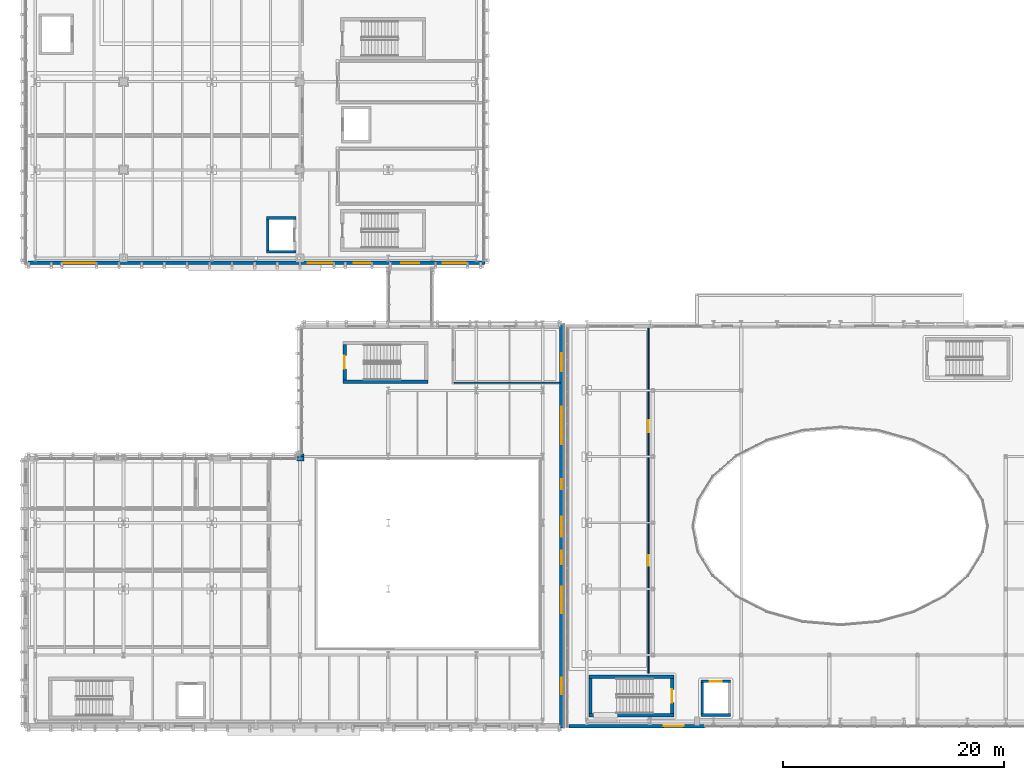
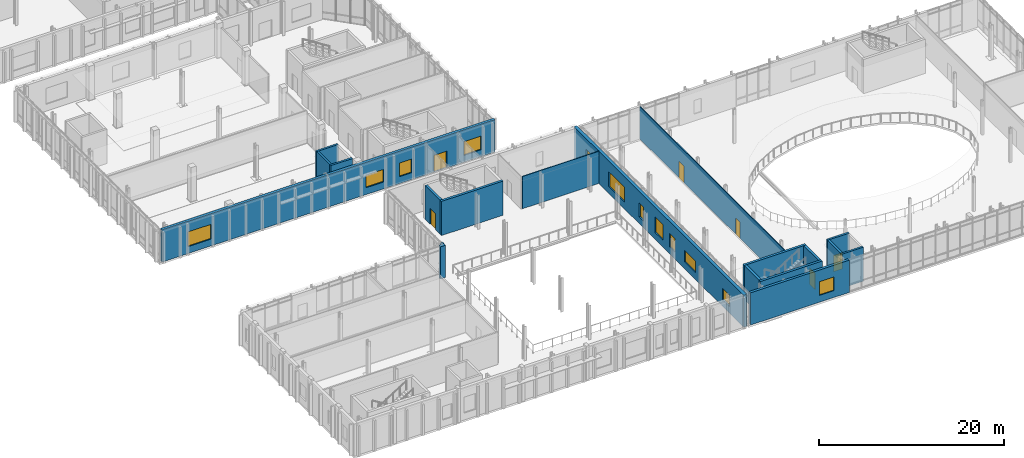
# One storey, part 66 of 100: 19 walls, 12 windows, 6 doors, 18 openings.
"""IFC4 building model written with IfcOpenShell, lengths in metres."""

from ifc_helpers import new_model, si_unit, direction, frame, frame_2d, origin, place, context, subcontext, project, spatial, rectangle, extrude, material, layer, layer_set, type_object, element, fill, save


model = new_model("IFC4")

# Units and contexts
model_context = context("Model", 3, precision=1e-05, world=origin(), true_north=direction((0.0, 1.0)))
body_context = subcontext(model_context, "Body", "Model", "MODEL_VIEW")
ifc_project = project(units=[si_unit("LENGTHUNIT", "METRE"), si_unit("AREAUNIT", "SQUARE_METRE"), si_unit("VOLUMEUNIT", "CUBIC_METRE"), si_unit("PLANEANGLEUNIT", "RADIAN"), si_unit("MASSUNIT", "GRAM", prefix="KILO")], contexts=[model_context])

# Site, building, storey
site_placement = place(None, origin())
site = spatial("IfcSite", under=ifc_project, at=site_placement, CompositionType="ELEMENT")
building_placement = place(site_placement, origin())
building = spatial("IfcBuilding", under=site, at=building_placement, Name="Cymarion Research Institute", CompositionType="ELEMENT")
storey_placement = place(building_placement, frame((0.0, 0.0, 4.800048828125)))
storey = spatial("IfcBuildingStorey", under=building, at=storey_placement, Name="L01", CompositionType="ELEMENT", Elevation=4.800048828125)

# Wall, openings, door, windows
ifc_material_1 = material(Name="Precast concrete C40/50", Category="concrete")
ifc_layer_1 = layer(ifc_material_1, 0.340087890625)
ifc_layer_set_1 = layer_set([ifc_layer_1], Name="Precast concrete C40/50")
wall_type_1 = type_object("IfcWallType", Name="EXTERIOR WALL EW-PC340 340MM", PredefinedType="SOLIDWALL", material=ifc_layer_set_1)
wall_1_placement = place(storey_placement, frame((5.922119140625, 47.070068359375, 0.0), z_axis=(0.0, 0.0, 1.0), x_axis=(1.0, 0.0, 0.0)))
wall_1 = element("IfcWall", 1, at=wall_1_placement, inside=storey, type_object=wall_type_1, Name="L01 V4 exterior wall EW-PC340 #111", PredefinedType="SOLIDWALL", context=body_context, shape_type="SweptSolid", body=[
    extrude(rectangle(XDim=41.477783203125, YDim=0.340087890625, at=frame_2d((20.73876953125, 0.0))), origin(), (0.0, 0.0, 1.0), 4.25),
])
opening_1_placement = place(wall_1_placement, frame((33.8779296875, 0.0, 0.0)))
opening_1 = element("IfcOpeningElement", 2, at=opening_1_placement, cuts=wall_1, Name="Opening D-SP1-L01-N", PredefinedType="OPENING", context=body_context, shape_type="SweptSolid", body=[
    extrude(rectangle(XDim=1.60009765625, YDim=2.199951171875, at=frame_2d((0.800048828125, 1.10009765625))), frame((0.0, 0.179931640625, 0.0), z_axis=(0.0, -1.0, 0.0), x_axis=(1.0, 0.0, 0.0)), (0.0, 0.0, 1.0), 0.360107421875),
])
opening_2_placement = place(wall_1_placement, frame((3.242919921875, 0.0, 0.89990234375)))
opening_2 = element("IfcOpeningElement", 3, at=opening_2_placement, cuts=wall_1, Name="Opening W32", PredefinedType="OPENING", context=body_context, shape_type="SweptSolid", body=[
    extrude(rectangle(XDim=2.85009765625, YDim=1.949951171875, at=frame_2d((1.425048828125, 0.97509765625))), frame((0.0, 0.179931640625, 0.0), z_axis=(0.0, -1.0, 0.0), x_axis=(1.0, 0.0, 0.0)), (0.0, 0.0, 1.0), 0.360107421875),
])
opening_3_placement = place(wall_1_placement, frame((25.407958984375, 0.0, 0.89990234375)))
opening_3 = element("IfcOpeningElement", 4, at=opening_3_placement, cuts=wall_1, Name="Opening W34", PredefinedType="OPENING", context=body_context, shape_type="SweptSolid", body=[
    extrude(rectangle(XDim=2.199951171875, YDim=1.64990234375, at=frame_2d((1.10009765625, 0.824951171875))), frame((0.0, 0.179931640625, 0.0), z_axis=(0.0, -1.0, 0.0), x_axis=(1.0, 0.0, 0.0)), (0.0, 0.0, 1.0), 0.360107421875),
])
opening_4_placement = place(wall_1_placement, frame((29.55810546875, 0.0, 0.89990234375)))
opening_4 = element("IfcOpeningElement", 5, at=opening_4_placement, cuts=wall_1, Name="Opening W02", PredefinedType="OPENING", context=body_context, shape_type="SweptSolid", body=[
    extrude(rectangle(XDim=1.5, YDim=1.800048828125, at=frame_2d((0.75, 0.89990234375))), frame((0.0, 0.179931640625, 0.0), z_axis=(0.0, -1.0, 0.0), x_axis=(1.0, 0.0, 0.0)), (0.0, 0.0, 1.0), 0.360107421875),
])
opening_5_placement = place(wall_1_placement, frame((37.6279296875, 0.0, 0.89990234375)))
opening_5 = element("IfcOpeningElement", 6, at=opening_5_placement, cuts=wall_1, Name="Opening W04", PredefinedType="OPENING", context=body_context, shape_type="SweptSolid", body=[
    extrude(rectangle(XDim=2.10009765625, YDim=1.800048828125, at=frame_2d((1.050048828125, 0.89990234375))), frame((0.0, 0.179931640625, 0.0), z_axis=(0.0, -1.0, 0.0), x_axis=(1.0, 0.0, 0.0)), (0.0, 0.0, 1.0), 0.360107421875),
])
ifc_material_2 = material(Name="Thermally broken anodised aluminium glazed door", Category="aluminium")
door_type_1 = type_object("IfcDoorType", Name="GLAZED ALUMINIUM TERRACE ACCESS DOOR DT-TR160 1600X2200", OperationType="NOTDEFINED", PredefinedType="DOOR", material=ifc_material_2)
door_1_placement = place(opening_1_placement, frame((1.60009765625, 0.0, 0.0), z_axis=(0.0, 0.0, 1.0), x_axis=(-1.0, 0.0, 0.0)))
door_1 = element("IfcDoor", 7, at=door_1_placement, inside=storey, type_object=door_type_1, Name="L01 V4 Sky-Passage Portal Door D-SP1-L01-N", OperationType="SINGLE_SWING_RIGHT", OverallHeight=2.199951171875, OverallWidth=1.60009765625, PredefinedType="DOOR", context=body_context, shape_type="SweptSolid", body=[
    extrude(rectangle(XDim=1.60009765625, YDim=2.199951171875, at=frame_2d((0.800048828125, 1.10009765625))), frame((0.0, 0.02490234375, 0.0), z_axis=(0.0, -1.0, 0.0), x_axis=(1.0, 0.0, 0.0)), (0.0, 0.0, 1.0), 0.050048828125),
])
fill(opening_1, door_1)
ifc_material_3 = material(Name="Thermally broken aluminium window with Low-E glazing", Category="aluminium")
window_type_1 = type_object("IfcWindowType", Name="THERMALLY BROKEN ALUMINIUM WINDOW W02 1500X1800", PartitioningType="DOUBLE_PANEL_VERTICAL", PredefinedType="WINDOW", material=ifc_material_3)
window_1_placement = place(opening_4_placement, origin())
window_1 = element("IfcWindow", 8, at=window_1_placement, inside=storey, type_object=window_type_1, Name="L01 V4 facade window W02 #202", OverallHeight=1.800048828125, OverallWidth=1.5, PartitioningType="SINGLE_PANEL", PredefinedType="WINDOW", context=body_context, shape_type="SweptSolid", body=[
    extrude(rectangle(XDim=1.5, YDim=1.800048828125, at=frame_2d((0.75, 0.89990234375))), frame((0.0, 0.030029296875, 0.0), z_axis=(0.0, -1.0, 0.0), x_axis=(1.0, 0.0, 0.0)), (0.0, 0.0, 1.0), 0.06005859375),
])
fill(opening_4, window_1)
window_type_2 = type_object("IfcWindowType", Name="THERMALLY BROKEN ALUMINIUM WINDOW W04 2100X1800", PartitioningType="DOUBLE_PANEL_VERTICAL", PredefinedType="WINDOW", material=ifc_material_3)
window_2_placement = place(opening_5_placement, origin())
window_2 = element("IfcWindow", 9, at=window_2_placement, inside=storey, type_object=window_type_2, Name="L01 V4 facade window W04 #203", OverallHeight=1.800048828125, OverallWidth=2.10009765625, PartitioningType="SINGLE_PANEL", PredefinedType="WINDOW", context=body_context, shape_type="SweptSolid", body=[
    extrude(rectangle(XDim=2.10009765625, YDim=1.800048828125, at=frame_2d((1.050048828125, 0.89990234375))), frame((0.0, 0.030029296875, 0.0), z_axis=(0.0, -1.0, 0.0), x_axis=(1.0, 0.0, 0.0)), (0.0, 0.0, 1.0), 0.06005859375),
])
fill(opening_5, window_2)
window_type_3 = type_object("IfcWindowType", Name="THERMALLY BROKEN ALUMINIUM WINDOW W32 2850X1950", PartitioningType="TRIPLE_PANEL_VERTICAL", PredefinedType="WINDOW", material=ifc_material_3)
window_3_placement = place(opening_2_placement, origin())
window_3 = element("IfcWindow", 10, at=window_3_placement, inside=storey, type_object=window_type_3, Name="L01 V4 facade window W32 #200", OverallHeight=1.949951171875, OverallWidth=2.85009765625, PartitioningType="SINGLE_PANEL", PredefinedType="WINDOW", context=body_context, shape_type="SweptSolid", body=[
    extrude(rectangle(XDim=2.85009765625, YDim=1.949951171875, at=frame_2d((1.425048828125, 0.97509765625))), frame((0.0, 0.030029296875, 0.0), z_axis=(0.0, -1.0, 0.0), x_axis=(1.0, 0.0, 0.0)), (0.0, 0.0, 1.0), 0.06005859375),
])
fill(opening_2, window_3)
window_type_4 = type_object("IfcWindowType", Name="THERMALLY BROKEN ALUMINIUM WINDOW W34 2200X1650", PartitioningType="DOUBLE_PANEL_VERTICAL", PredefinedType="WINDOW", material=ifc_material_3)
window_4_placement = place(opening_3_placement, origin())
window_4 = element("IfcWindow", 11, at=window_4_placement, inside=storey, type_object=window_type_4, Name="L01 V4 facade window W34 #201", OverallHeight=1.64990234375, OverallWidth=2.199951171875, PartitioningType="SINGLE_PANEL", PredefinedType="WINDOW", context=body_context, shape_type="SweptSolid", body=[
    extrude(rectangle(XDim=2.199951171875, YDim=1.64990234375, at=frame_2d((1.10009765625, 0.824951171875))), frame((0.0, 0.030029296875, 0.0), z_axis=(0.0, -1.0, 0.0), x_axis=(1.0, 0.0, 0.0)), (0.0, 0.0, 1.0), 0.06005859375),
])
fill(opening_3, window_4)

# Wall, openings, windows
ifc_layer_2 = layer(ifc_material_1, 0.3798828125)
ifc_layer_set_2 = layer_set([ifc_layer_2], Name="Precast concrete C40/50")
wall_type_2 = type_object("IfcWallType", Name="EXTERIOR WALL EW-PC380 380MM", PredefinedType="SOLIDWALL", material=ifc_layer_set_2)
wall_2_placement = place(storey_placement, frame((54.31005859375, 4.89990234375, 0.0), z_axis=(0.0, 0.0, 1.0), x_axis=(0.0, 1.0, 0.0)))
wall_2 = element("IfcWall", 12, at=wall_2_placement, inside=storey, type_object=wall_type_2, Name="L01 V3 exterior wall EW-PC380 #103", PredefinedType="SOLIDWALL", context=body_context, shape_type="SweptSolid", body=[
    extrude(rectangle(XDim=36.60009765625, YDim=0.3798828125, at=frame_2d((18.300048828125, 0.0))), origin(), (0.0, 0.0, 1.0), 4.25),
])
opening_6_placement = place(wall_2_placement, frame((3.070068359375, 0.0, 0.89990234375)))
opening_6 = element("IfcOpeningElement", 13, at=opening_6_placement, cuts=wall_2, Name="Opening W16", PredefinedType="OPENING", context=body_context, shape_type="SweptSolid", body=[
    extrude(rectangle(XDim=1.5, YDim=1.5, at=frame_2d((0.75, 0.75))), frame((0.0, 0.199951171875, 0.0), z_axis=(0.0, -1.0, 0.0), x_axis=(1.0, 0.0, 0.0)), (0.0, 0.0, 1.0), 0.39990234375),
])
opening_7_placement = place(wall_2_placement, frame((10.39990234375, 0.0, 0.89990234375)))
opening_7 = element("IfcOpeningElement", 14, at=opening_7_placement, cuts=wall_2, Name="Opening W18", PredefinedType="OPENING", context=body_context, shape_type="SweptSolid", body=[
    extrude(rectangle(XDim=2.39990234375, YDim=1.5, at=frame_2d((1.199951171875, 0.75))), frame((0.0, 0.199951171875, 0.0), z_axis=(0.0, -1.0, 0.0), x_axis=(1.0, 0.0, 0.0)), (0.0, 0.0, 1.0), 0.39990234375),
])
opening_8_placement = place(wall_2_placement, frame((14.85009765625, 0.0, 0.89990234375)))
opening_8 = element("IfcOpeningElement", 15, at=opening_8_placement, cuts=wall_2, Name="Opening W01", PredefinedType="OPENING", context=body_context, shape_type="SweptSolid", body=[
    extrude(rectangle(XDim=1.199951171875, YDim=1.800048828125, at=frame_2d((0.60009765625, 0.89990234375))), frame((0.0, 0.199951171875, 0.0), z_axis=(0.0, -1.0, 0.0), x_axis=(1.0, 0.0, 0.0)), (0.0, 0.0, 1.0), 0.39990234375),
])
opening_9_placement = place(wall_2_placement, frame((17.35009765625, 0.0, 0.89990234375)))
opening_9 = element("IfcOpeningElement", 16, at=opening_9_placement, cuts=wall_2, Name="Opening W10", PredefinedType="OPENING", context=body_context, shape_type="SweptSolid", body=[
    extrude(rectangle(XDim=1.800048828125, YDim=2.10009765625, at=frame_2d((0.89990234375, 1.050048828125))), frame((0.0, 0.199951171875, 0.0), z_axis=(0.0, -1.0, 0.0), x_axis=(1.0, 0.0, 0.0)), (0.0, 0.0, 1.0), 0.39990234375),
])
opening_10_placement = place(wall_2_placement, frame((21.64990234375, 0.0, 0.89990234375)))
opening_10 = element("IfcOpeningElement", 17, at=opening_10_placement, cuts=wall_2, Name="Opening W24", PredefinedType="OPENING", context=body_context, shape_type="SweptSolid", body=[
    extrude(rectangle(XDim=0.89990234375, YDim=1.800048828125, at=frame_2d((0.449951171875, 0.89990234375))), frame((0.0, 0.199951171875, 0.0), z_axis=(0.0, -1.0, 0.0), x_axis=(1.0, 0.0, 0.0)), (0.0, 0.0, 1.0), 0.39990234375),
])
opening_11_placement = place(wall_2_placement, frame((25.7099609375, 0.0, 0.89990234375)))
opening_11 = element("IfcOpeningElement", 18, at=opening_11_placement, cuts=wall_2, Name="Opening W26", PredefinedType="OPENING", context=body_context, shape_type="SweptSolid", body=[
    extrude(rectangle(XDim=3.39990234375, YDim=1.949951171875, at=frame_2d((1.699951171875, 0.97509765625))), frame((0.0, 0.199951171875, 0.0), z_axis=(0.0, -1.0, 0.0), x_axis=(1.0, 0.0, 0.0)), (0.0, 0.0, 1.0), 0.39990234375),
])
opening_12_placement = place(wall_2_placement, frame((32.324951171875, 0.0, 0.89990234375)))
opening_12 = element("IfcOpeningElement", 19, at=opening_12_placement, cuts=wall_2, Name="Opening W28", PredefinedType="OPENING", context=body_context, shape_type="SweptSolid", body=[
    extrude(rectangle(XDim=1.64990234375, YDim=1.949951171875, at=frame_2d((0.824951171875, 0.97509765625))), frame((0.0, 0.199951171875, 0.0), z_axis=(0.0, -1.0, 0.0), x_axis=(1.0, 0.0, 0.0)), (0.0, 0.0, 1.0), 0.39990234375),
])
window_type_5 = type_object("IfcWindowType", Name="THERMALLY BROKEN ALUMINIUM WINDOW W01 1200X1800", PartitioningType="SINGLE_PANEL", PredefinedType="WINDOW", material=ifc_material_3)
window_5_placement = place(opening_8_placement, origin())
window_5 = element("IfcWindow", 20, at=window_5_placement, inside=storey, type_object=window_type_5, Name="L01 V3 facade window W01 #185", OverallHeight=1.800048828125, OverallWidth=1.199951171875, PartitioningType="SINGLE_PANEL", PredefinedType="WINDOW", context=body_context, shape_type="SweptSolid", body=[
    extrude(rectangle(XDim=1.199951171875, YDim=1.800048828125, at=frame_2d((0.60009765625, 0.89990234375))), frame((0.0, 0.030029296875, 0.0), z_axis=(0.0, -1.0, 0.0), x_axis=(1.0, 0.0, 0.0)), (0.0, 0.0, 1.0), 0.06005859375),
])
fill(opening_8, window_5)
window_type_6 = type_object("IfcWindowType", Name="THERMALLY BROKEN ALUMINIUM WINDOW W10 1800X2100", PartitioningType="DOUBLE_PANEL_VERTICAL", PredefinedType="WINDOW", material=ifc_material_3)
window_6_placement = place(opening_9_placement, origin())
window_6 = element("IfcWindow", 21, at=window_6_placement, inside=storey, type_object=window_type_6, Name="L01 V3 facade window W10 #186", OverallHeight=2.10009765625, OverallWidth=1.800048828125, PartitioningType="SINGLE_PANEL", PredefinedType="WINDOW", context=body_context, shape_type="SweptSolid", body=[
    extrude(rectangle(XDim=1.800048828125, YDim=2.10009765625, at=frame_2d((0.89990234375, 1.050048828125))), frame((0.0, 0.030029296875, 0.0), z_axis=(0.0, -1.0, 0.0), x_axis=(1.0, 0.0, 0.0)), (0.0, 0.0, 1.0), 0.06005859375),
])
fill(opening_9, window_6)
window_type_7 = type_object("IfcWindowType", Name="THERMALLY BROKEN ALUMINIUM WINDOW W16 1500X1500", PartitioningType="DOUBLE_PANEL_HORIZONTAL", PredefinedType="WINDOW", material=ifc_material_3)
window_7_placement = place(opening_6_placement, origin())
window_7 = element("IfcWindow", 22, at=window_7_placement, inside=storey, type_object=window_type_7, Name="L01 V3 facade window W16 #183", OverallHeight=1.5, OverallWidth=1.5, PartitioningType="SINGLE_PANEL", PredefinedType="WINDOW", context=body_context, shape_type="SweptSolid", body=[
    extrude(rectangle(XDim=1.5, YDim=1.5, at=frame_2d((0.75, 0.75))), frame((0.0, 0.030029296875, 0.0), z_axis=(0.0, -1.0, 0.0), x_axis=(1.0, 0.0, 0.0)), (0.0, 0.0, 1.0), 0.06005859375),
])
fill(opening_6, window_7)
window_type_8 = type_object("IfcWindowType", Name="THERMALLY BROKEN ALUMINIUM WINDOW W18 2400X1500", PartitioningType="TRIPLE_PANEL_HORIZONTAL", PredefinedType="WINDOW", material=ifc_material_3)
window_8_placement = place(opening_7_placement, origin())
window_8 = element("IfcWindow", 23, at=window_8_placement, inside=storey, type_object=window_type_8, Name="L01 V3 facade window W18 #184", OverallHeight=1.5, OverallWidth=2.39990234375, PartitioningType="SINGLE_PANEL", PredefinedType="WINDOW", context=body_context, shape_type="SweptSolid", body=[
    extrude(rectangle(XDim=2.39990234375, YDim=1.5, at=frame_2d((1.199951171875, 0.75))), frame((0.0, 0.030029296875, 0.0), z_axis=(0.0, -1.0, 0.0), x_axis=(1.0, 0.0, 0.0)), (0.0, 0.0, 1.0), 0.06005859375),
])
fill(opening_7, window_8)
window_type_9 = type_object("IfcWindowType", Name="THERMALLY BROKEN ALUMINIUM WINDOW W24 900X1800", PartitioningType="SINGLE_PANEL", PredefinedType="WINDOW", material=ifc_material_3)
window_9_placement = place(opening_10_placement, origin())
window_9 = element("IfcWindow", 24, at=window_9_placement, inside=storey, type_object=window_type_9, Name="L01 V3 facade window W24 #187", OverallHeight=1.800048828125, OverallWidth=0.89990234375, PartitioningType="SINGLE_PANEL", PredefinedType="WINDOW", context=body_context, shape_type="SweptSolid", body=[
    extrude(rectangle(XDim=0.89990234375, YDim=1.800048828125, at=frame_2d((0.449951171875, 0.89990234375))), frame((0.0, 0.030029296875, 0.0), z_axis=(0.0, -1.0, 0.0), x_axis=(1.0, 0.0, 0.0)), (0.0, 0.0, 1.0), 0.06005859375),
])
fill(opening_10, window_9)
window_type_10 = type_object("IfcWindowType", Name="THERMALLY BROKEN ALUMINIUM WINDOW W26 3400X1950", PartitioningType="TRIPLE_PANEL_VERTICAL", PredefinedType="WINDOW", material=ifc_material_3)
window_10_placement = place(opening_11_placement, origin())
window_10 = element("IfcWindow", 25, at=window_10_placement, inside=storey, type_object=window_type_10, Name="L01 V3 facade window W26 #188", OverallHeight=1.949951171875, OverallWidth=3.39990234375, PartitioningType="SINGLE_PANEL", PredefinedType="WINDOW", context=body_context, shape_type="SweptSolid", body=[
    extrude(rectangle(XDim=3.39990234375, YDim=1.949951171875, at=frame_2d((1.699951171875, 0.97509765625))), frame((0.0, 0.030029296875, 0.0), z_axis=(0.0, -1.0, 0.0), x_axis=(1.0, 0.0, 0.0)), (0.0, 0.0, 1.0), 0.06005859375),
])
fill(opening_11, window_10)
window_type_11 = type_object("IfcWindowType", Name="THERMALLY BROKEN ALUMINIUM WINDOW W28 1650X1950", PartitioningType="DOUBLE_PANEL_VERTICAL", PredefinedType="WINDOW", material=ifc_material_3)
window_11_placement = place(opening_12_placement, origin())
window_11 = element("IfcWindow", 26, at=window_11_placement, inside=storey, type_object=window_type_11, Name="L01 V3 facade window W28 #189", OverallHeight=1.949951171875, OverallWidth=1.64990234375, PartitioningType="SINGLE_PANEL", PredefinedType="WINDOW", context=body_context, shape_type="SweptSolid", body=[
    extrude(rectangle(XDim=1.64990234375, YDim=1.949951171875, at=frame_2d((0.824951171875, 0.97509765625))), frame((0.0, 0.030029296875, 0.0), z_axis=(0.0, -1.0, 0.0), x_axis=(1.0, 0.0, 0.0)), (0.0, 0.0, 1.0), 0.06005859375),
])
fill(opening_12, window_11)

# Walls
wall_3_placement = place(storey_placement, frame((30.7900390625, 29.760009765625, 0.0), z_axis=(0.0, 0.0, 1.0), x_axis=(0.0, -1.0, 0.0)))
element("IfcWall", 27, at=wall_3_placement, inside=storey, type_object=wall_type_2, Name="L01 V3 facade pier wall EW-PC380 #105", PredefinedType="SOLIDWALL", context=body_context, shape_type="SweptSolid", body=[
    extrude(rectangle(XDim=0.260009765625, YDim=0.3798828125, at=frame_2d((0.1298828125, 0.0))), origin(), (0.0, 0.0, 1.0), 4.25),
])
wall_4_placement = place(storey_placement, frame((30.9619140625, 29.31005859375, 0.0), z_axis=(0.0, 0.0, 1.0), x_axis=(-1.0, 0.0, 0.0)))
element("IfcWall", 28, at=wall_4_placement, inside=storey, type_object=wall_type_2, Name="L01 V3 facade pier wall EW-PC380 #106", PredefinedType="SOLIDWALL", context=body_context, shape_type="SweptSolid", body=[
    extrude(rectangle(XDim=0.621826171875, YDim=0.3798828125, at=frame_2d((0.31103515625, 0.0))), origin(), (0.0, 0.0, 1.0), 4.25),
])

# Wall, opening, window
ifc_material_4 = material(Name="Concrete C40/50", Category="concrete")
ifc_layer_3 = layer(ifc_material_4, 0.320068359375)
ifc_layer_set_3 = layer_set([ifc_layer_3], Name="Concrete C40/50")
wall_type_3 = type_object("IfcWallType", Name="EXTERIOR WALL EW-RC320 320MM", PredefinedType="SHEAR", material=ifc_layer_set_3)
wall_5_placement = place(storey_placement, frame((55.001953125, 5.06005859375, 0.0), z_axis=(0.0, 0.0, 1.0), x_axis=(1.0, 0.0, 0.0)))
wall_5 = element("IfcWall", 29, at=wall_5_placement, inside=storey, type_object=wall_type_3, Name="L01 V2 facade pier wall EW-RC320 #95", PredefinedType="SHEAR", context=body_context, shape_type="SweptSolid", body=[
    extrude(rectangle(XDim=12.299072265625, YDim=0.320068359375, at=frame_2d((6.1494140625, 0.0))), origin(), (0.0, 0.0, 1.0), 4.25),
])
opening_13_placement = place(wall_5_placement, frame((8.5830078125, 0.0, 0.89990234375)))
opening_13 = element("IfcOpeningElement", 30, at=opening_13_placement, cuts=wall_5, Name="Opening W03", PredefinedType="OPENING", context=body_context, shape_type="SweptSolid", body=[
    extrude(rectangle(XDim=1.800048828125, YDim=1.800048828125, at=frame_2d((0.89990234375, 0.89990234375))), frame((0.0, 0.169921875, 0.0), z_axis=(0.0, -1.0, 0.0), x_axis=(1.0, 0.0, 0.0)), (0.0, 0.0, 1.0), 0.340087890625),
])
window_type_12 = type_object("IfcWindowType", Name="THERMALLY BROKEN ALUMINIUM WINDOW W03 1800X1800", PartitioningType="DOUBLE_PANEL_VERTICAL", PredefinedType="WINDOW", material=ifc_material_3)
window_12_placement = place(opening_13_placement, origin())
window_12 = element("IfcWindow", 31, at=window_12_placement, inside=storey, type_object=window_type_12, Name="L01 V2 facade window W03 #171", OverallHeight=1.800048828125, OverallWidth=1.800048828125, PartitioningType="SINGLE_PANEL", PredefinedType="WINDOW", context=body_context, shape_type="SweptSolid", body=[
    extrude(rectangle(XDim=1.800048828125, YDim=1.800048828125, at=frame_2d((0.89990234375, 0.89990234375))), frame((0.0, 0.030029296875, 0.0), z_axis=(0.0, -1.0, 0.0), x_axis=(1.0, 0.0, 0.0)), (0.0, 0.0, 1.0), 0.06005859375),
])
fill(opening_13, window_12)

# Wall, openings, doors
ifc_material_5 = material(Name="Framed acoustic glass laboratory screen", Category="glass")
ifc_layer_4 = layer(ifc_material_5, 0.10009765625)
ifc_layer_set_4 = layer_set([ifc_layer_4], Name="Framed acoustic glass laboratory screen")
wall_type_4 = type_object("IfcWallType", Name="INTERIOR PARTITION IW-GL100 100MM", PredefinedType="PARTITIONING", material=ifc_layer_set_4)
wall_6_placement = place(storey_placement, frame((62.199951171875, 9.85009765625, 0.0), z_axis=(0.0, 0.0, 1.0), x_axis=(0.0, 1.0, 0.0)))
wall_6 = element("IfcWall", 32, at=wall_6_placement, inside=storey, type_object=wall_type_4, Name="L01 V2 interior partition IW-GL100 #120", PredefinedType="PARTITIONING", context=body_context, shape_type="SweptSolid", body=[
    extrude(rectangle(XDim=31.39990234375, YDim=0.10009765625, at=frame_2d((15.699951171875, 0.0))), origin(), (0.0, 0.0, 1.0), 4.25),
])
opening_14_placement = place(wall_6_placement, frame((9.7529296875, 0.0, 0.0)))
opening_14 = element("IfcOpeningElement", 33, at=opening_14_placement, cuts=wall_6, Name="Opening D-L01-084", PredefinedType="OPENING", context=body_context, shape_type="SweptSolid", body=[
    extrude(rectangle(XDim=0.949951171875, YDim=2.10009765625, at=frame_2d((0.47509765625, 1.050048828125))), frame((0.0, 0.06005859375, 0.0), z_axis=(0.0, -1.0, 0.0), x_axis=(1.0, 0.0, 0.0)), (0.0, 0.0, 1.0), 0.1201171875),
])
opening_15_placement = place(wall_6_placement, frame((21.8369140625, 0.0, 0.0)))
opening_15 = element("IfcOpeningElement", 34, at=opening_15_placement, cuts=wall_6, Name="Opening D-L01-085", PredefinedType="OPENING", context=body_context, shape_type="SweptSolid", body=[
    extrude(rectangle(XDim=1.10009765625, YDim=2.14990234375, at=frame_2d((0.550048828125, 1.074951171875))), frame((0.0, 0.06005859375, 0.0), z_axis=(0.0, -1.0, 0.0), x_axis=(1.0, 0.0, 0.0)), (0.0, 0.0, 1.0), 0.1201171875),
])
ifc_material_6 = material(Name="Flush acoustic timber/steel door assembly", Category="steel")
door_type_2 = type_object("IfcDoorType", Name="FACULTY STUDY DOOR DT-OF095 950X2100", OperationType="NOTDEFINED", PredefinedType="DOOR", material=ifc_material_6)
door_2_placement = place(opening_14_placement, origin())
door_2 = element("IfcDoor", 35, at=door_2_placement, inside=storey, type_object=door_type_2, Name="L01 West Collaboration door D-L01-084", OperationType="SINGLE_SWING_LEFT", OverallHeight=2.10009765625, OverallWidth=0.949951171875, PredefinedType="DOOR", context=body_context, shape_type="SweptSolid", body=[
    extrude(rectangle(XDim=0.949951171875, YDim=2.10009765625, at=frame_2d((0.47509765625, 1.050048828125))), frame((0.0, 0.02490234375, 0.0), z_axis=(0.0, -1.0, 0.0), x_axis=(1.0, 0.0, 0.0)), (0.0, 0.0, 1.0), 0.050048828125),
])
fill(opening_14, door_2)
door_type_3 = type_object("IfcDoorType", Name="LABORATORY WIDE SINGLE DOOR DT-LB110 1100X2150", OperationType="NOTDEFINED", PredefinedType="DOOR", material=ifc_material_6)
door_3_placement = place(opening_15_placement, origin())
door_3 = element("IfcDoor", 36, at=door_3_placement, inside=storey, type_object=door_type_3, Name="L01 Open Makerspace door D-L01-085", OperationType="SINGLE_SWING_RIGHT", OverallHeight=2.14990234375, OverallWidth=1.10009765625, PredefinedType="DOOR", context=body_context, shape_type="SweptSolid", body=[
    extrude(rectangle(XDim=1.10009765625, YDim=2.14990234375, at=frame_2d((0.550048828125, 1.074951171875))), frame((0.0, 0.02490234375, 0.0), z_axis=(0.0, -1.0, 0.0), x_axis=(1.0, 0.0, 0.0)), (0.0, 0.0, 1.0), 0.050048828125),
])
fill(opening_15, door_3)

# Walls
wall_7_placement = place(storey_placement, frame((44.580078125, 36.199951171875, 0.0), z_axis=(0.0, 0.0, 1.0), x_axis=(1.0, 0.0, 0.0)))
element("IfcWall", 37, at=wall_7_placement, inside=storey, type_object=wall_type_4, Name="L01 V3 interior partition IW-GL100 #131", PredefinedType="PARTITIONING", context=body_context, shape_type="SweptSolid", body=[
    extrude(rectangle(XDim=9.614990234375, YDim=0.10009765625, at=frame_2d((4.8076171875, 0.0))), origin(), (0.0, 0.0, 1.0), 4.25),
])
ifc_layer_5 = layer(ifc_material_4, 0.25)
ifc_layer_set_5 = layer_set([ifc_layer_5], Name="Concrete C40/50")
wall_type_5 = type_object("IfcWallType", Name="REINFORCED CONCRETE CORE WALL CW-SH250 250MM", PredefinedType="SHEAR", material=ifc_layer_set_5)
wall_8_placement = place(storey_placement, frame((66.949951171875, 6.074951171875, 0.0), z_axis=(0.0, 0.0, 1.0), x_axis=(1.0, 0.0, 0.0)))
element("IfcWall", 38, at=wall_8_placement, inside=storey, type_object=wall_type_5, Name="L01 LSH-LP2-L01 south core wall", PredefinedType="SHEAR", context=body_context, shape_type="SweptSolid", body=[
    extrude(rectangle(XDim=2.699951171875, YDim=0.25, at=frame_2d((1.35009765625, 0.0))), origin(), (0.0, 0.0, 1.0), 4.5),
])

# Wall, opening, door
wall_9_placement = place(storey_placement, frame((69.64990234375, 9.125, 0.0), z_axis=(0.0, 0.0, 1.0), x_axis=(-1.0, 0.0, 0.0)))
wall_9 = element("IfcWall", 39, at=wall_9_placement, inside=storey, type_object=wall_type_5, Name="L01 LSH-LP2-L01 north core wall", PredefinedType="SHEAR", context=body_context, shape_type="SweptSolid", body=[
    extrude(rectangle(XDim=2.699951171875, YDim=0.25, at=frame_2d((1.35009765625, 0.0))), origin(), (0.0, 0.0, 1.0), 4.5),
])
opening_16_placement = place(wall_9_placement, frame((0.800048828125, 0.0, 0.0)))
opening_16 = element("IfcOpeningElement", 40, at=opening_16_placement, cuts=wall_9, Name="Opening LD-LP2-L01", PredefinedType="OPENING", context=body_context, shape_type="SweptSolid", body=[
    extrude(rectangle(XDim=1.10009765625, YDim=2.14990234375, at=frame_2d((0.550048828125, 1.074951171875))), frame((0.0, 0.135009765625, 0.0), z_axis=(0.0, -1.0, 0.0), x_axis=(1.0, 0.0, 0.0)), (0.0, 0.0, 1.0), 0.27001953125),
])
ifc_material_7 = material(Name="Fire-rated insulated steel door assembly", Category="steel")
door_type_4 = type_object("IfcDoorType", Name="SLIDING LIFT LANDING DOOR DT-LD110 1100X2150", OperationType="DOUBLE_DOOR_SLIDING", PredefinedType="DOOR", material=ifc_material_7)
door_4_placement = place(opening_16_placement, origin())
door_4 = element("IfcDoor", 41, at=door_4_placement, inside=storey, type_object=door_type_4, Name="Lift LP2 landing door L01", OperationType="DOUBLE_DOOR_SLIDING", OverallHeight=2.14990234375, OverallWidth=1.10009765625, PredefinedType="DOOR", context=body_context, shape_type="SweptSolid", body=[
    extrude(rectangle(XDim=1.10009765625, YDim=2.14990234375, at=frame_2d((0.550048828125, 1.074951171875))), frame((0.0, 0.02490234375, 0.0), z_axis=(0.0, -1.0, 0.0), x_axis=(1.0, 0.0, 0.0)), (0.0, 0.0, 1.0), 0.050048828125),
])
fill(opening_16, door_4)

# Walls
wall_10_placement = place(storey_placement, frame((67.074951171875, 9.0, 0.0), z_axis=(0.0, 0.0, 1.0), x_axis=(0.0, -1.0, 0.0)))
element("IfcWall", 42, at=wall_10_placement, inside=storey, type_object=wall_type_5, Name="L01 LSH-LP2-L01 west core wall", PredefinedType="SHEAR", context=body_context, shape_type="SweptSolid", body=[
    extrude(rectangle(XDim=2.800048828125, YDim=0.25, at=frame_2d((1.39990234375, 0.0))), origin(), (0.0, 0.0, 1.0), 4.5),
])
for number, where, z_axis, x_axis, name in (
    (43, (27.550048828125, 48.074951171875, 0.0), (0.0, 0.0, 1.0), (1.0, 0.0, 0.0), "L01 LSH-LP1-L01 south core wall"),
    (44, (30.25, 51.125, 0.0), (0.0, 0.0, 1.0), (-1.0, 0.0, 0.0), "L01 LSH-LP1-L01 north core wall"),
):
    element("IfcWall", number, at=place(storey_placement, frame(where, z_axis=z_axis, x_axis=x_axis)), inside=storey, type_object=wall_type_5, Name=name, PredefinedType="SHEAR", context=body_context, shape_type="SweptSolid", body=[
        extrude(rectangle(XDim=2.699951171875, YDim=0.25, at=frame_2d((1.35009765625, 0.0))), origin(), (0.0, 0.0, 1.0), 4.5),
    ])
wall_11_placement = place(storey_placement, frame((27.675048828125, 51.0, 0.0), z_axis=(0.0, 0.0, 1.0), x_axis=(0.0, -1.0, 0.0)))
element("IfcWall", 45, at=wall_11_placement, inside=storey, type_object=wall_type_5, Name="L01 LSH-LP1-L01 west core wall", PredefinedType="SHEAR", context=body_context, shape_type="SweptSolid", body=[
    extrude(rectangle(XDim=2.800048828125, YDim=0.25, at=frame_2d((1.39990234375, 0.0))), origin(), (0.0, 0.0, 1.0), 4.5),
])
ifc_layer_6 = layer(ifc_material_4, 0.300048828125)
ifc_layer_set_6 = layer_set([ifc_layer_6], Name="Concrete C40/50")
wall_type_6 = type_object("IfcWallType", Name="REINFORCED CONCRETE CORE WALL CW-SH300 300MM", PredefinedType="SHEAR", material=ifc_layer_set_6)
for number, where, z_axis, x_axis, name in (
    (46, (56.800048828125, 6.050048828125, 0.0), (0.0, 0.0, 1.0), (1.0, 0.0, 0.0), "L01 SHW-C3-L01 south core wall"),
    (47, (64.5, 9.550048828125, 0.0), (0.0, 0.0, 1.0), (-1.0, 0.0, 0.0), "L01 SHW-C3-L01 north core wall"),
):
    element("IfcWall", number, at=place(storey_placement, frame(where, z_axis=z_axis, x_axis=x_axis)), inside=storey, type_object=wall_type_6, Name=name, PredefinedType="SHEAR", context=body_context, shape_type="SweptSolid", body=[
        extrude(rectangle(XDim=7.699951171875, YDim=0.300048828125, at=frame_2d((3.85009765625, 0.0))), origin(), (0.0, 0.0, 1.0), 4.5),
    ])
wall_12_placement = place(storey_placement, frame((56.949951171875, 9.39990234375, 0.0), z_axis=(0.0, 0.0, 1.0), x_axis=(0.0, -1.0, 0.0)))
element("IfcWall", 48, at=wall_12_placement, inside=storey, type_object=wall_type_6, Name="L01 SHW-C3-L01 west core wall", PredefinedType="SHEAR", context=body_context, shape_type="SweptSolid", body=[
    extrude(rectangle(XDim=3.199951171875, YDim=0.300048828125, at=frame_2d((1.60009765625, 0.0))), origin(), (0.0, 0.0, 1.0), 4.5),
])

# Wall, opening, door
wall_13_placement = place(storey_placement, frame((64.35009765625, 6.199951171875, 0.0), z_axis=(0.0, 0.0, 1.0), x_axis=(0.0, 1.0, 0.0)))
wall_13 = element("IfcWall", 49, at=wall_13_placement, inside=storey, type_object=wall_type_6, Name="L01 SHW-C3-L01 east core wall", PredefinedType="SHEAR", context=body_context, shape_type="SweptSolid", body=[
    extrude(rectangle(XDim=3.199951171875, YDim=0.300048828125, at=frame_2d((1.60009765625, 0.0))), origin(), (0.0, 0.0, 1.0), 4.5),
])
opening_17_placement = place(wall_13_placement, frame((1.0, 0.0, 0.0)))
opening_17 = element("IfcOpeningElement", 50, at=opening_17_placement, cuts=wall_13, Name="Opening FD-L01-ST3", PredefinedType="OPENING", context=body_context, shape_type="SweptSolid", body=[
    extrude(rectangle(XDim=1.199951171875, YDim=2.14990234375, at=frame_2d((0.60009765625, 1.074951171875))), frame((0.0, 0.159912109375, 0.0), z_axis=(0.0, -1.0, 0.0), x_axis=(1.0, 0.0, 0.0)), (0.0, 0.0, 1.0), 0.320068359375),
])
door_type_5 = type_object("IfcDoorType", Name="SMOKE PROOF STAIR FIRE DOOR DT-ST120 1200X2150", OperationType="NOTDEFINED", PredefinedType="DOOR", material=ifc_material_7)
door_5_placement = place(opening_17_placement, origin())
door_5 = element("IfcDoor", 51, at=door_5_placement, inside=storey, type_object=door_type_5, Name="L01 ST3 smoke-proof stair door FD-L01-ST3", OperationType="SINGLE_SWING_LEFT", OverallHeight=2.14990234375, OverallWidth=1.199951171875, PredefinedType="DOOR", context=body_context, shape_type="SweptSolid", body=[
    extrude(rectangle(XDim=1.199951171875, YDim=2.14990234375, at=frame_2d((0.60009765625, 1.074951171875))), frame((0.0, 0.02490234375, 0.0), z_axis=(0.0, -1.0, 0.0), x_axis=(1.0, 0.0, 0.0)), (0.0, 0.0, 1.0), 0.050048828125),
])
fill(opening_17, door_5)

# Wall
wall_14_placement = place(storey_placement, frame((34.5, 36.300048828125, 0.0), z_axis=(0.0, 0.0, 1.0), x_axis=(1.0, 0.0, 0.0)))
element("IfcWall", 52, at=wall_14_placement, inside=storey, type_object=wall_type_6, Name="L01 SHW-C6-L01 south core wall", PredefinedType="SHEAR", context=body_context, shape_type="SweptSolid", body=[
    extrude(rectangle(XDim=7.699951171875, YDim=0.300048828125, at=frame_2d((3.85009765625, 0.0))), origin(), (0.0, 0.0, 1.0), 4.5),
])

# Wall, opening, door
wall_15_placement = place(storey_placement, frame((34.64990234375, 39.64990234375, 0.0), z_axis=(0.0, 0.0, 1.0), x_axis=(0.0, -1.0, 0.0)))
wall_15 = element("IfcWall", 53, at=wall_15_placement, inside=storey, type_object=wall_type_6, Name="L01 SHW-C6-L01 west core wall", PredefinedType="SHEAR", context=body_context, shape_type="SweptSolid", body=[
    extrude(rectangle(XDim=3.199951171875, YDim=0.300048828125, at=frame_2d((1.60009765625, 0.0))), origin(), (0.0, 0.0, 1.0), 4.5),
])
opening_18_placement = place(wall_15_placement, frame((1.0, 0.0, 0.0)))
opening_18 = element("IfcOpeningElement", 54, at=opening_18_placement, cuts=wall_15, Name="Opening FD-L01-ST6", PredefinedType="OPENING", context=body_context, shape_type="SweptSolid", body=[
    extrude(rectangle(XDim=1.199951171875, YDim=2.14990234375, at=frame_2d((0.60009765625, 1.074951171875))), frame((0.0, 0.159912109375, 0.0), z_axis=(0.0, -1.0, 0.0), x_axis=(1.0, 0.0, 0.0)), (0.0, 0.0, 1.0), 0.320068359375),
])
door_6_placement = place(opening_18_placement, origin())
door_6 = element("IfcDoor", 55, at=door_6_placement, inside=storey, type_object=door_type_5, Name="L01 ST6 smoke-proof stair door FD-L01-ST6", OperationType="SINGLE_SWING_RIGHT", OverallHeight=2.14990234375, OverallWidth=1.199951171875, PredefinedType="DOOR", context=body_context, shape_type="SweptSolid", body=[
    extrude(rectangle(XDim=1.199951171875, YDim=2.14990234375, at=frame_2d((0.60009765625, 1.074951171875))), frame((0.0, 0.02490234375, 0.0), z_axis=(0.0, -1.0, 0.0), x_axis=(1.0, 0.0, 0.0)), (0.0, 0.0, 1.0), 0.050048828125),
])
fill(opening_18, door_6)

save(model, "model.ifc")
